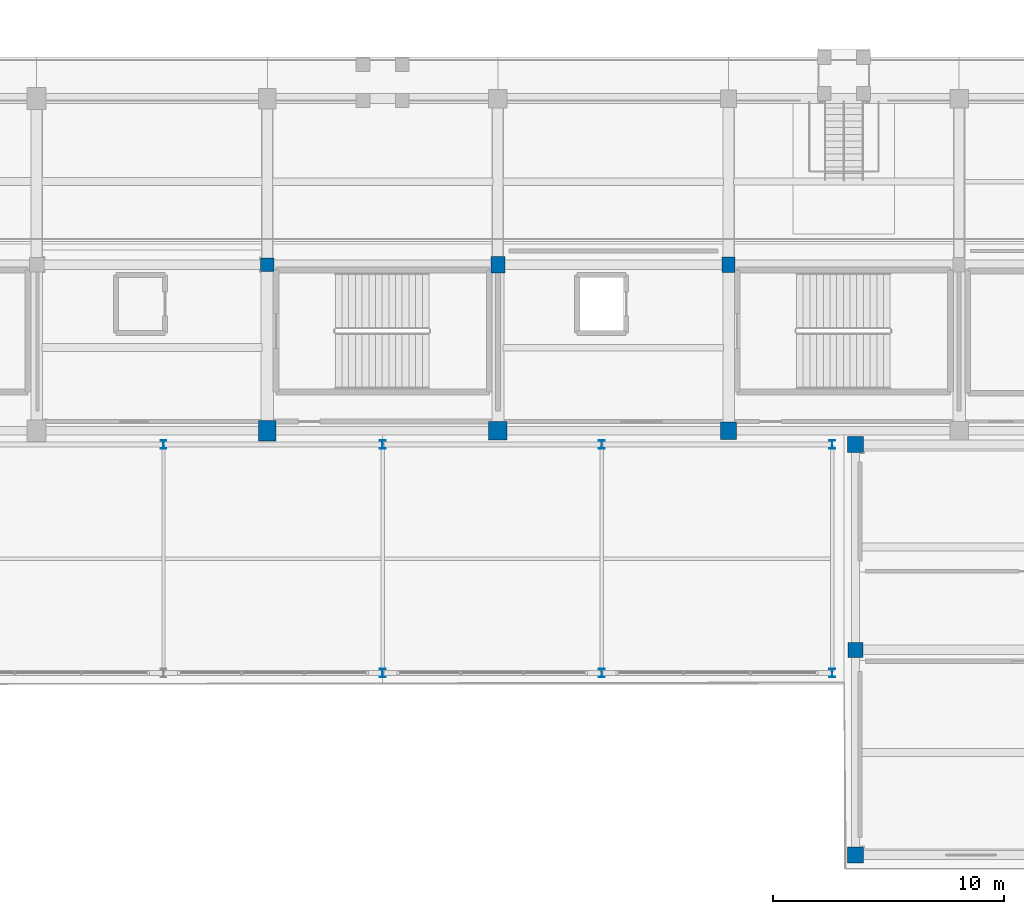
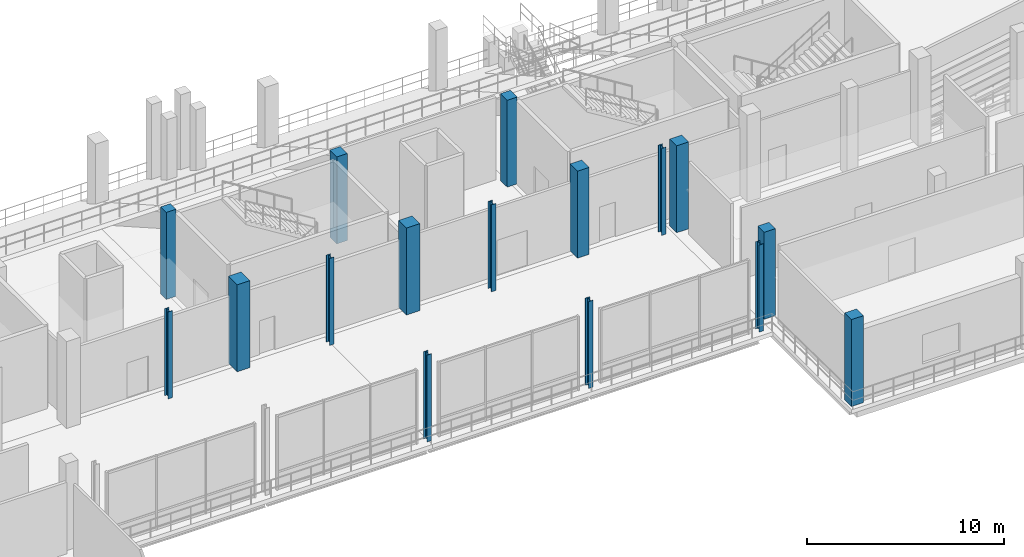
# One storey, part 3 of 127: 16 columns.
"""IFC4 building model written with IfcOpenShell, lengths in metres."""

from ifc_helpers import new_model, si_unit, direction, frame, origin, origin_2d, place, context, subcontext, project, spatial, rectangle, i_section, extrude, material, material_profile, profile_set, type_object, element, save


model = new_model("IFC4")

# Units and contexts
model_context = context("Model", 3, precision=1e-05, world=origin(), true_north=direction((0.0, 1.0)))
body_context = subcontext(model_context, "Body", "Model", "MODEL_VIEW")
ifc_project = project(units=[si_unit("LENGTHUNIT", "METRE"), si_unit("AREAUNIT", "SQUARE_METRE"), si_unit("VOLUMEUNIT", "CUBIC_METRE"), si_unit("PLANEANGLEUNIT", "RADIAN"), si_unit("MASSUNIT", "GRAM", prefix="KILO")], contexts=[model_context])

# Site, building, storey
site_placement = place(None, origin())
site = spatial("IfcSite", under=ifc_project, at=site_placement, CompositionType="ELEMENT")
building_placement = place(site_placement, origin())
building = spatial("IfcBuilding", under=site, at=building_placement, Name="Candeia Ridge Stadium", CompositionType="ELEMENT")
storey_placement = place(building_placement, frame((0.0, 0.0, 10.800048828125)))
storey = spatial("IfcBuildingStorey", under=building, at=storey_placement, Name="L02", CompositionType="ELEMENT", Elevation=10.800048828125)

# Columns
ifc_material_1 = material(Name="Concrete C45/55", Category="concrete")
ifc_material_profile_1 = material_profile(ifc_material_1, rectangle(XDim=0.800048828125, YDim=0.800048828125, at=origin_2d()), Name="RC800x800", Category="concrete")
ifc_profile_set_1 = profile_set([ifc_material_profile_1], Name="Concrete C45/55")
column_type_1 = type_object("IfcColumnType", Name="Bowl Column RC800x800", PredefinedType="COLUMN", material=ifc_profile_set_1)
column_1_placement = place(storey_placement, frame((111.0, 19.0, 0.0), z_axis=(0.0, 0.0, 1.0), x_axis=(1.0, 0.0, 0.0)))
element("IfcColumn", 1, at=column_1_placement, inside=storey, type_object=column_type_1, Name="Structural column BC-OU-22 L02", PredefinedType="COLUMN", context=body_context, shape_type="SweptSolid", body=[
    extrude(rectangle(XDim=0.800048828125, YDim=0.800048828125, at=origin_2d()), origin(), (0.0, 0.0, 1.0), 5.39990234375),
])
ifc_material_2 = material(Name="Steel ASTM A572 Grade 50", Category="steel")
ifc_material_profile_2 = material_profile(ifc_material_2, i_section(OverallWidth=0.257080078125, OverallDepth=0.363037109375, WebThickness=0.012939453125, FlangeThickness=0.021728515625, FilletRadius=0.014892578125, at=origin_2d()), Name="W360x122", Category="steel")
ifc_profile_set_2 = profile_set([ifc_material_profile_2], Name="Steel ASTM A572 Grade 50")
column_type_2 = type_object("IfcColumnType", Name="Gate Steel Column W360x122", PredefinedType="COLUMN", material=ifc_profile_set_2)
for number, where, z_axis, x_axis, name in (
    (2, (96.5, 18.39990234375, 0.0), (0.0, 0.0, 1.0), (1.0, 0.0, 0.0), "Structural column SG-01-01 L02"),
    (3, (106.0, 8.5, 0.0), (0.0, 0.0, 1.0), (1.0, 0.0, 0.0), "Structural column SG-02-00 L02"),
    (4, (106.0, 18.39990234375, 0.0), (0.0, 0.0, 1.0), (1.0, 0.0, 0.0), "Structural column SG-02-01 L02"),
    (5, (115.5, 8.5, 0.0), (0.0, 0.0, 1.0), (1.0, 0.0, 0.0), "Structural column SG-03-00 L02"),
    (6, (115.5, 18.39990234375, 0.0), (0.0, 0.0, 1.0), (1.0, 0.0, 0.0), "Structural column SG-03-01 L02"),
    (7, (125.5, 8.5, 0.0), (0.0, 0.0, 1.0), (1.0, 0.0, 0.0), "Structural column SG-04-00 L02"),
    (8, (125.5, 18.39990234375, 0.0), (0.0, 0.0, 1.0), (1.0, 0.0, 0.0), "Structural column SG-04-01 L02"),
):
    element("IfcColumn", number, at=place(storey_placement, frame(where, z_axis=z_axis, x_axis=x_axis)), inside=storey, type_object=column_type_2, Name=name, PredefinedType="COLUMN", context=body_context, shape_type="SweptSolid", body=[
        extrude(i_section(OverallWidth=0.257080078125, OverallDepth=0.363037109375, WebThickness=0.012939453125, FlangeThickness=0.021728515625, FilletRadius=0.014892578125, at=origin_2d()), origin(), (0.0, 0.0, 1.0), 5.39990234375),
    ])
ifc_material_3 = material(Name="Concrete C40/50", Category="concrete")
ifc_material_profile_3 = material_profile(ifc_material_3, rectangle(XDim=0.580078125, YDim=0.580078125, at=origin_2d()), Name="RC580x580", Category="concrete")
ifc_profile_set_3 = profile_set([ifc_material_profile_3], Name="Concrete C40/50")
column_type_3 = type_object("IfcColumnType", Name="Graduated Frame Column RC580x580", PredefinedType="COLUMN", material=ifc_profile_set_3)
column_2_placement = place(storey_placement, frame((101.0, 26.199951171875, 0.0), z_axis=(0.0, 0.0, 1.0), x_axis=(1.0, 0.0, 0.0)))
element("IfcColumn", 9, at=column_2_placement, inside=storey, type_object=column_type_3, Name="Structural column BC-M2-21 L02", PredefinedType="COLUMN", context=body_context, shape_type="SweptSolid", body=[
    extrude(rectangle(XDim=0.580078125, YDim=0.580078125, at=origin_2d()), origin(), (0.0, 0.0, 1.0), 5.39990234375),
])
ifc_material_profile_4 = material_profile(ifc_material_3, rectangle(XDim=0.580078125, YDim=0.679931640625, at=origin_2d()), Name="RC580x680", Category="concrete")
ifc_profile_set_4 = profile_set([ifc_material_profile_4], Name="Concrete C40/50")
column_type_4 = type_object("IfcColumnType", Name="Graduated Frame Column RC580x680", PredefinedType="COLUMN", material=ifc_profile_set_4)
column_3_placement = place(storey_placement, frame((121.0, 26.199951171875, 0.0), z_axis=(0.0, 0.0, 1.0), x_axis=(1.0, 0.0, 0.0)))
element("IfcColumn", 10, at=column_3_placement, inside=storey, type_object=column_type_4, Name="Structural column BC-M2-23 L02", PredefinedType="COLUMN", context=body_context, shape_type="SweptSolid", body=[
    extrude(rectangle(XDim=0.580078125, YDim=0.679931640625, at=origin_2d()), origin(), (0.0, 0.0, 1.0), 5.39990234375),
])
ifc_material_profile_5 = material_profile(ifc_material_3, rectangle(XDim=0.6201171875, YDim=0.719970703125, at=origin_2d()), Name="RC620x720", Category="concrete")
ifc_profile_set_5 = profile_set([ifc_material_profile_5], Name="Concrete C40/50")
column_type_5 = type_object("IfcColumnType", Name="Graduated Frame Column RC620x720", PredefinedType="COLUMN", material=ifc_profile_set_5)
column_4_placement = place(storey_placement, frame((111.0, 26.199951171875, 0.0), z_axis=(0.0, 0.0, 1.0), x_axis=(1.0, 0.0, 0.0)))
element("IfcColumn", 11, at=column_4_placement, inside=storey, type_object=column_type_5, Name="Structural column BC-M2-22 L02", PredefinedType="COLUMN", context=body_context, shape_type="SweptSolid", body=[
    extrude(rectangle(XDim=0.6201171875, YDim=0.719970703125, at=origin_2d()), origin(), (0.0, 0.0, 1.0), 5.39990234375),
])
ifc_material_profile_6 = material_profile(ifc_material_3, rectangle(XDim=0.679931640625, YDim=0.760009765625, at=origin_2d()), Name="RC680x760", Category="concrete")
ifc_profile_set_6 = profile_set([ifc_material_profile_6], Name="Concrete C40/50")
column_type_6 = type_object("IfcColumnType", Name="Graduated Frame Column RC680x760", PredefinedType="COLUMN", material=ifc_profile_set_6)
column_5_placement = place(storey_placement, frame((121.0, 19.0, 0.0), z_axis=(0.0, 0.0, 1.0), x_axis=(1.0, 0.0, 0.0)))
element("IfcColumn", 12, at=column_5_placement, inside=storey, type_object=column_type_6, Name="Structural column BC-OU-23 L02", PredefinedType="COLUMN", context=body_context, shape_type="SweptSolid", body=[
    extrude(rectangle(XDim=0.679931640625, YDim=0.760009765625, at=origin_2d()), origin(), (0.0, 0.0, 1.0), 5.39990234375),
])
ifc_material_profile_7 = material_profile(ifc_material_3, rectangle(XDim=0.64990234375, YDim=0.64990234375, at=origin_2d()), Name="RC650x650", Category="concrete")
ifc_profile_set_7 = profile_set([ifc_material_profile_7], Name="Concrete C40/50")
column_type_7 = type_object("IfcColumnType", Name="Reinforced Concrete Column RC650x650", PredefinedType="COLUMN", material=ifc_profile_set_7)
column_6_placement = place(storey_placement, frame((126.5, 9.5, 0.0), z_axis=(0.0, 0.0, 1.0), x_axis=(1.0, 0.0, 0.0)))
element("IfcColumn", 13, at=column_6_placement, inside=storey, type_object=column_type_7, Name="Structural column SWE-00-01 L02", PredefinedType="COLUMN", context=body_context, shape_type="SweptSolid", body=[
    extrude(rectangle(XDim=0.64990234375, YDim=0.64990234375, at=origin_2d()), origin(), (0.0, 0.0, 1.0), 5.39990234375),
])
ifc_material_profile_8 = material_profile(ifc_material_1, rectangle(XDim=0.75, YDim=0.89990234375, at=origin_2d()), Name="RC750x900", Category="concrete")
ifc_profile_set_8 = profile_set([ifc_material_profile_8], Name="Concrete C45/55")
column_type_8 = type_object("IfcColumnType", Name="Reinforced Concrete Column RC750x900", PredefinedType="COLUMN", material=ifc_profile_set_8)
column_7_placement = place(storey_placement, frame((101.0, 19.0, 0.0), z_axis=(0.0, 0.0, 1.0), x_axis=(1.0, 0.0, 0.0)))
element("IfcColumn", 14, at=column_7_placement, inside=storey, type_object=column_type_8, Name="Structural column BC-OU-21 L02", PredefinedType="COLUMN", context=body_context, shape_type="SweptSolid", body=[
    extrude(rectangle(XDim=0.75, YDim=0.89990234375, at=origin_2d()), origin(), (0.0, 0.0, 1.0), 5.39990234375),
])
ifc_material_profile_9 = material_profile(ifc_material_3, rectangle(XDim=0.699951171875, YDim=0.699951171875, at=origin_2d()), Name="RC700x700", Category="concrete")
ifc_profile_set_9 = profile_set([ifc_material_profile_9], Name="Concrete C40/50")
column_type_9 = type_object("IfcColumnType", Name="Wing Column RC700x700", PredefinedType="COLUMN", material=ifc_profile_set_9)
for number, where, z_axis, x_axis, name in (
    (15, (126.5, 0.60009765625, 0.0), (0.0, 0.0, 1.0), (1.0, 0.0, 0.0), "Structural column SWE-00-00 L02"),
    (16, (126.5, 18.39990234375, 0.0), (0.0, 0.0, 1.0), (1.0, 0.0, 0.0), "Structural column SWE-00-02 L02"),
):
    element("IfcColumn", number, at=place(storey_placement, frame(where, z_axis=z_axis, x_axis=x_axis)), inside=storey, type_object=column_type_9, Name=name, PredefinedType="COLUMN", context=body_context, shape_type="SweptSolid", body=[
        extrude(rectangle(XDim=0.699951171875, YDim=0.699951171875, at=origin_2d()), origin(), (0.0, 0.0, 1.0), 5.39990234375),
    ])

save(model, "model.ifc")
